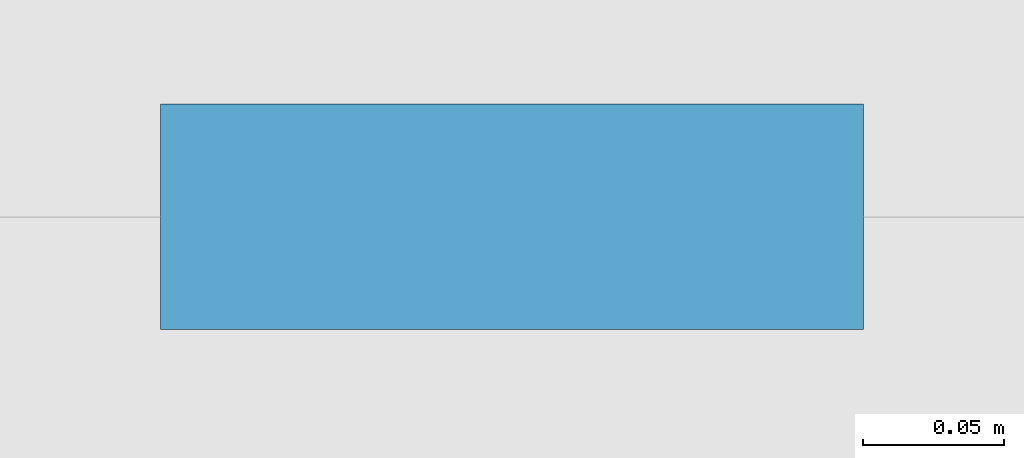
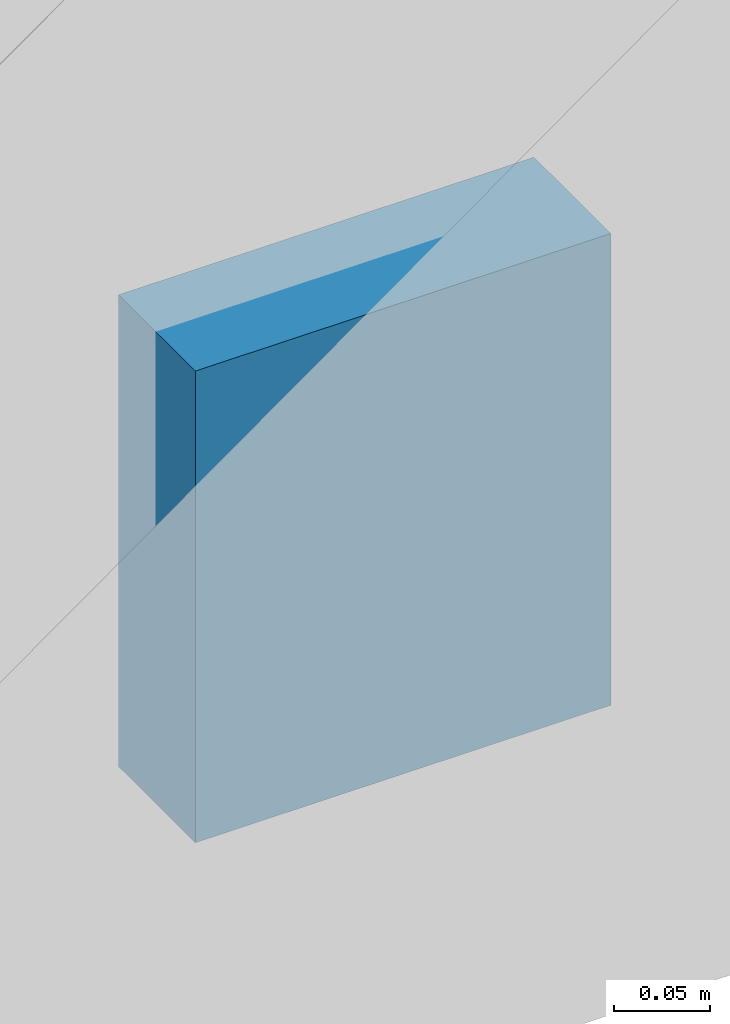
# One storey, part 89 of 130: 1 discrete accessory.
"""IFC4 building model written with IfcOpenShell, lengths in metres."""

from ifc_helpers import new_model, si_unit, direction, frame, origin, origin_2d, place, context, subcontext, project, spatial, rectangle, extrude, material, layer, layer_set, type_object, element, save


model = new_model("IFC4")

# Units and contexts
model_context = context("Model", 3, precision=1e-05, world=origin(), true_north=direction((0.0, 1.0)))
body_context = subcontext(model_context, "Body", "Model", "MODEL_VIEW")
ifc_project = project(units=[si_unit("LENGTHUNIT", "METRE"), si_unit("AREAUNIT", "SQUARE_METRE"), si_unit("VOLUMEUNIT", "CUBIC_METRE"), si_unit("PLANEANGLEUNIT", "RADIAN"), si_unit("MASSUNIT", "GRAM", prefix="KILO")], contexts=[model_context])

# Site, building, storey
site_placement = place(None, origin())
site = spatial("IfcSite", under=ifc_project, at=site_placement, CompositionType="ELEMENT")
building_placement = place(site_placement, origin())
building = spatial("IfcBuilding", under=site, at=building_placement, Name="Ogive Plaza Stadium", CompositionType="ELEMENT")
storey_placement = place(building_placement, frame((0.0, 0.0, 22.5)))
storey = spatial("IfcBuildingStorey", under=building, at=storey_placement, Name="L05", CompositionType="ELEMENT", Elevation=22.5)

# Discrete accessory
ifc_material = material(Name="Steel ASTM A572 Grade 50", Category="steel")
ifc_layer = layer(ifc_material, 0.080078125)
ifc_layer_set = layer_set([ifc_layer], Name="Steel ASTM A572 Grade 50")
discrete_accessory_type = type_object("IfcDiscreteAccessoryType", Name="Spandrel cladding bracket 250x300", PredefinedType="BRACKET", material=ifc_layer_set)
discrete_accessory_placement = place(storey_placement, frame((-27.199951171875, -102.85009765625, -1.31005859375), z_axis=(0.0, 0.0, 1.0), x_axis=(-1.0, 0.0, 0.0)))
element("IfcDiscreteAccessory", 1, at=discrete_accessory_placement, inside=storey, type_object=discrete_accessory_type, Name="SPANDREL BRACKET B16 L05", PredefinedType="BRACKET", context=body_context, shape_type="SweptSolid", body=[
    extrude(rectangle(XDim=0.25, YDim=0.080078125, at=origin_2d()), origin(), (0.0, 0.0, 1.0), 0.300048828125),
])

save(model, "model.ifc")
